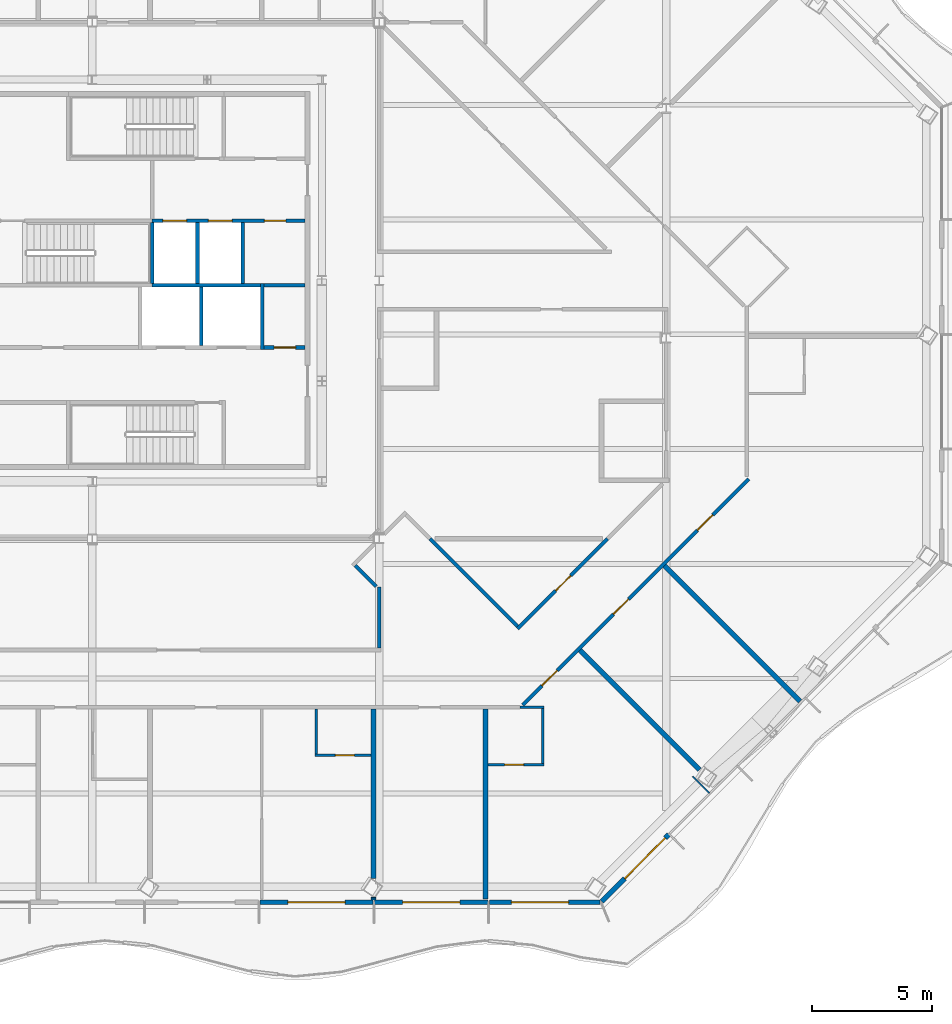
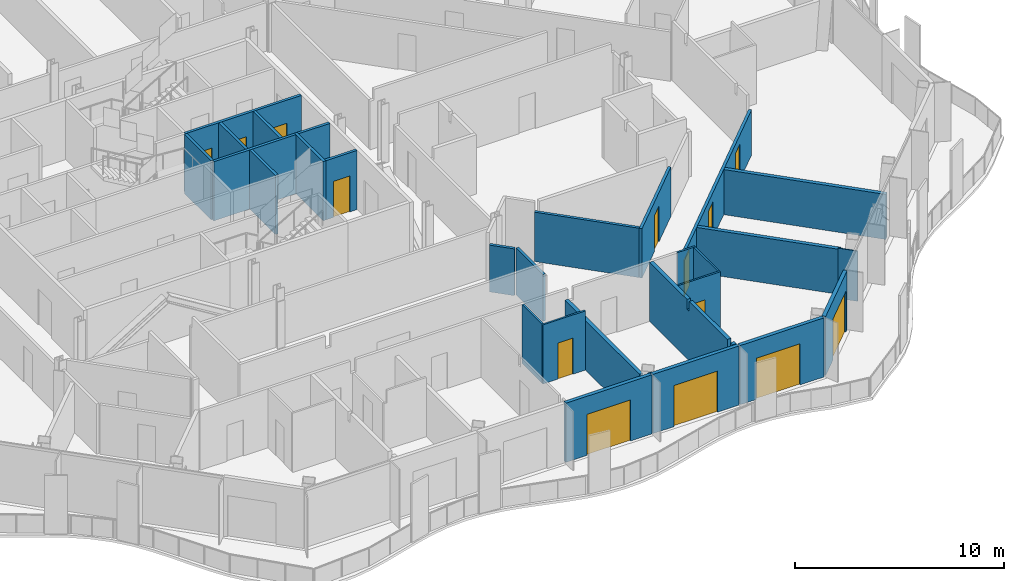
# One storey, part 9 of 19: 29 walls, 14 doors, 14 openings.
"""IFC4 building model written with IfcOpenShell, lengths in metres."""

from ifc_helpers import new_model, si_unit, direction, frame, frame_2d, origin, place, context, subcontext, project, spatial, polyline, rectangle, outline, extrude, material, layer, layer_set, type_object, element, fill, save


model = new_model("IFC4")

# Units and contexts
model_context = context("Model", 3, precision=1e-05, world=origin(), true_north=direction((0.0, 1.0)))
body_context = subcontext(model_context, "Body", "Model", "MODEL_VIEW")
ifc_project = project(units=[si_unit("LENGTHUNIT", "METRE"), si_unit("AREAUNIT", "SQUARE_METRE"), si_unit("VOLUMEUNIT", "CUBIC_METRE"), si_unit("PLANEANGLEUNIT", "RADIAN"), si_unit("MASSUNIT", "GRAM", prefix="KILO")], contexts=[model_context])

# Site, building, storey
site_placement = place(None, origin())
site = spatial("IfcSite", under=ifc_project, at=site_placement, CompositionType="ELEMENT")
building_placement = place(site_placement, origin())
building = spatial("IfcBuilding", under=site, at=building_placement, Name="Cairn Pilgrim Tower", CompositionType="ELEMENT")
storey_placement = place(building_placement, frame((0.0, 0.0, 197.39990234375)))
storey = spatial("IfcBuildingStorey", under=building, at=storey_placement, Name="L50", CompositionType="ELEMENT", Elevation=197.39990234375)

# Wall, opening, door
ifc_material_1 = material(Name="Bronze anodised aluminium insulated sandwich panel with mineral wool fill", Category="aluminium")
ifc_layer_1 = layer(ifc_material_1, 0.199951171875)
ifc_layer_set_1 = layer_set([ifc_layer_1], Name="BRONZE INFILL FRAME WALL 200")
wall_type_1 = type_object("IfcWallType", Name="BRONZE INFILL FRAME WALL 200", PredefinedType="NOTDEFINED", material=ifc_layer_set_1)
wall_1_placement = place(storey_placement, frame((14.205078125, -23.60009765625, 0.0), z_axis=(0.0, 0.0, 1.0), x_axis=(1.0, 0.0, 0.0)))
wall_1 = element("IfcWall", 1, at=wall_1_placement, inside=storey, type_object=wall_type_1, Name="Bronze infill frame wall IW-S4", PredefinedType="NOTDEFINED", context=body_context, shape_type="SweptSolid", body=[
    extrude(rectangle(XDim=4.739990234375, YDim=0.199951171875, at=frame_2d((2.3701171875, 0.0))), origin(), (0.0, 0.0, 1.0), 3.4501953125),
])
opening_1_placement = place(wall_1_placement, frame((1.16943359375, 0.0, 0.0)))
opening_1 = element("IfcOpeningElement", 2, at=opening_1_placement, cuts=wall_1, Name="Opening 5017SB", PredefinedType="OPENING", context=body_context, shape_type="SweptSolid", body=[
    extrude(rectangle(XDim=2.39990234375, YDim=2.39990234375, at=frame_2d((1.199951171875, 1.199951171875))), frame((0.0, 0.10986328125, 0.0), z_axis=(0.0, -1.0, 0.0), x_axis=(1.0, 0.0, 0.0)), (0.0, 0.0, 1.0), 0.219970703125),
])
ifc_material_2 = material(Name="Bronze anodised aluminium frame with tinted low-E glass", Category="aluminium")
door_type_1 = type_object("IfcDoorType", Name="BALCONY SLIDING DOOR 2400x2400", OperationType="DOUBLE_DOOR_SLIDING", PredefinedType="DOOR", material=ifc_material_2)
door_1_placement = place(opening_1_placement, origin())
door_1 = element("IfcDoor", 3, at=door_1_placement, inside=storey, type_object=door_type_1, Name="Balcony sliding door 5017SB", OperationType="SINGLE_SWING_LEFT", OverallHeight=2.39990234375, OverallWidth=2.39990234375, PredefinedType="DOOR", context=body_context, shape_type="SweptSolid", body=[
    extrude(rectangle(XDim=2.39990234375, YDim=2.39990234375, at=frame_2d((1.199951171875, 1.199951171875))), frame((0.0, 0.02490234375, 0.0), z_axis=(0.0, -1.0, 0.0), x_axis=(1.0, 0.0, 0.0)), (0.0, 0.0, 1.0), 0.050048828125),
])
fill(opening_1, door_1)

wall_2_placement = place(storey_placement, frame((19.0048828125, -23.60009765625, 0.0), z_axis=(0.0, 0.0, 1.0), x_axis=(1.0, 0.0, 0.0)))
wall_2 = element("IfcWall", 4, at=wall_2_placement, inside=storey, type_object=wall_type_1, Name="Bronze infill frame wall IW-S5", PredefinedType="NOTDEFINED", context=body_context, shape_type="SweptSolid", body=[
    extrude(rectangle(XDim=4.740234375, YDim=0.199951171875, at=frame_2d((2.3701171875, 0.0))), origin(), (0.0, 0.0, 1.0), 3.4501953125),
])
opening_2_placement = place(wall_2_placement, frame((1.170166015625, 0.0, 0.0)))
opening_2 = element("IfcOpeningElement", 5, at=opening_2_placement, cuts=wall_2, Name="Opening 5001B", PredefinedType="OPENING", context=body_context, shape_type="SweptSolid", body=[
    extrude(rectangle(XDim=2.39990234375, YDim=2.39990234375, at=frame_2d((1.199951171875, 1.199951171875))), frame((0.0, 0.10986328125, 0.0), z_axis=(0.0, -1.0, 0.0), x_axis=(1.0, 0.0, 0.0)), (0.0, 0.0, 1.0), 0.219970703125),
])
door_2_placement = place(opening_2_placement, origin())
door_2 = element("IfcDoor", 6, at=door_2_placement, inside=storey, type_object=door_type_1, Name="Balcony sliding door 5001B", OperationType="SINGLE_SWING_LEFT", OverallHeight=2.39990234375, OverallWidth=2.39990234375, PredefinedType="DOOR", context=body_context, shape_type="SweptSolid", body=[
    extrude(rectangle(XDim=2.39990234375, YDim=2.39990234375, at=frame_2d((1.199951171875, 1.199951171875))), frame((0.0, 0.02490234375, 0.0), z_axis=(0.0, -1.0, 0.0), x_axis=(1.0, 0.0, 0.0)), (0.0, 0.0, 1.0), 0.050048828125),
])
fill(opening_2, door_2)

wall_3_placement = place(storey_placement, frame((23.804931640625, -23.60009765625, 0.0), z_axis=(0.0, 0.0, 1.0), x_axis=(1.0, 0.0, 0.0)))
wall_3 = element("IfcWall", 7, at=wall_3_placement, inside=storey, type_object=wall_type_1, Name="Bronze infill frame wall IW-S6", PredefinedType="NOTDEFINED", context=body_context, shape_type="SweptSolid", body=[
    extrude(rectangle(XDim=4.62646484375, YDim=0.199951171875, at=frame_2d((2.313232421875, 0.0))), origin(), (0.0, 0.0, 1.0), 3.4501953125),
])
opening_3_placement = place(wall_3_placement, frame((0.91796875, 0.0, 0.0)))
opening_3 = element("IfcOpeningElement", 8, at=opening_3_placement, cuts=wall_3, Name="Opening 5002B2", PredefinedType="OPENING", context=body_context, shape_type="SweptSolid", body=[
    extrude(rectangle(XDim=2.39990234375, YDim=2.39990234375, at=frame_2d((1.199951171875, 1.199951171875))), frame((0.0, 0.10986328125, 0.0), z_axis=(0.0, -1.0, 0.0), x_axis=(1.0, 0.0, 0.0)), (0.0, 0.0, 1.0), 0.219970703125),
])
door_3_placement = place(opening_3_placement, origin())
door_3 = element("IfcDoor", 9, at=door_3_placement, inside=storey, type_object=door_type_1, Name="Balcony sliding door 5002B2", OperationType="SINGLE_SWING_LEFT", OverallHeight=2.39990234375, OverallWidth=2.39990234375, PredefinedType="DOOR", context=body_context, shape_type="SweptSolid", body=[
    extrude(rectangle(XDim=2.39990234375, YDim=2.39990234375, at=frame_2d((1.199951171875, 1.199951171875))), frame((0.0, 0.02490234375, 0.0), z_axis=(0.0, -1.0, 0.0), x_axis=(1.0, 0.0, 0.0)), (0.0, 0.0, 1.0), 0.050048828125),
])
fill(opening_3, door_3)

wall_4_placement = place(storey_placement, frame((28.499755859375, -23.57177734375, 0.0), z_axis=(0.0, 0.0, 1.0), x_axis=(0.707106781187, 0.707106781187, 0.0)))
wall_4 = element("IfcWall", 10, at=wall_4_placement, inside=storey, type_object=wall_type_1, Name="Bronze infill frame wall IW-SE1", PredefinedType="NOTDEFINED", context=body_context, shape_type="SweptSolid", body=[
    extrude(rectangle(XDim=3.961669921875, YDim=0.199951171875, at=frame_2d((1.98095703125, 0.0))), origin(), (0.0, 0.0, 1.0), 3.4501953125),
])
opening_4_placement = place(wall_4_placement, frame((1.361572265625, 0.0, 0.0)))
opening_4 = element("IfcOpeningElement", 11, at=opening_4_placement, cuts=wall_4, Name="Opening 5002B", PredefinedType="OPENING", context=body_context, shape_type="SweptSolid", body=[
    extrude(rectangle(XDim=2.39990234375, YDim=2.39990234375, at=frame_2d((1.199951171875, 1.199951171875))), frame((0.0, 0.10986328125, 0.0), z_axis=(0.0, -1.0, 0.0), x_axis=(1.0, 0.0, 0.0)), (0.0, 0.0, 1.0), 0.219970703125),
])
door_4_placement = place(opening_4_placement, origin())
door_4 = element("IfcDoor", 12, at=door_4_placement, inside=storey, type_object=door_type_1, Name="Balcony sliding door 5002B", OperationType="SINGLE_SWING_LEFT", OverallHeight=2.39990234375, OverallWidth=2.39990234375, PredefinedType="DOOR", context=body_context, shape_type="SweptSolid", body=[
    extrude(rectangle(XDim=2.39990234375, YDim=2.39990234375, at=frame_2d((1.199951171875, 1.199951171875))), frame((0.0, 0.02490234375, 0.0), z_axis=(0.0, -1.0, 0.0), x_axis=(1.0, 0.0, 0.0)), (0.0, 0.0, 1.0), 0.050048828125),
])
fill(opening_4, door_4)

ifc_material_3 = material(Name="Concrete C32/40", Category="concrete")
ifc_layer_2 = layer(ifc_material_3, 0.14990234375)
ifc_layer_set_2 = layer_set([ifc_layer_2], Name="CORE PARTITION 150 EI 60")
wall_type_2 = type_object("IfcWallType", Name="CORE PARTITION 150 EI 60", PredefinedType="PARTITIONING", material=ifc_layer_set_2)
wall_5_placement = place(storey_placement, frame((14.375, -0.39990234375, 0.0), z_axis=(0.0, 0.0, 1.0), x_axis=(1.0, 0.0, 0.0)))
wall_5 = element("IfcWall", 13, at=wall_5_placement, inside=storey, type_object=wall_type_2, Name="CW:L50:H06", PredefinedType="PARTITIONING", context=body_context, shape_type="SweptSolid", body=[
    extrude(rectangle(XDim=1.72509765625, YDim=0.14990234375, at=frame_2d((0.862548828125, 0.0))), origin(), (0.0, 0.0, 1.0), 3.4501953125),
])
opening_5_placement = place(wall_5_placement, frame((0.425048828125, 0.0, 0.0)))
opening_5 = element("IfcOpeningElement", 14, at=opening_5_placement, cuts=wall_5, Name="Opening RD-R2E", PredefinedType="OPENING", context=body_context, shape_type="SweptSolid", body=[
    extrude(rectangle(XDim=0.89990234375, YDim=2.10009765625, at=frame_2d((0.449951171875, 1.050048828125))), frame((0.0, 0.0849609375, 0.0), z_axis=(0.0, -1.0, 0.0), x_axis=(1.0, 0.0, 0.0)), (0.0, 0.0, 1.0), 0.169921875),
])
ifc_material_4 = material(Name="Painted steel", Category="steel")
door_type_2 = type_object("IfcDoorType", Name="SERVICE ROOM DOOR 900x2100", OperationType="SINGLE_SWING_LEFT", PredefinedType="DOOR", material=ifc_material_4)
door_5_placement = place(opening_5_placement, origin())
door_5 = element("IfcDoor", 15, at=door_5_placement, inside=storey, type_object=door_type_2, Name="RD-R2E", OperationType="SINGLE_SWING_RIGHT", OverallHeight=2.10009765625, OverallWidth=0.89990234375, PredefinedType="DOOR", context=body_context, shape_type="SweptSolid", body=[
    extrude(rectangle(XDim=0.89990234375, YDim=2.10009765625, at=frame_2d((0.449951171875, 1.050048828125))), frame((0.0, 0.02490234375, 0.0), z_axis=(0.0, -1.0, 0.0), x_axis=(1.0, 0.0, 0.0)), (0.0, 0.0, 1.0), 0.050048828125),
])
fill(opening_5, door_5)

# Walls
wall_6_placement = place(storey_placement, frame((14.375, 2.199951171875, 0.0), z_axis=(0.0, 0.0, 1.0), x_axis=(1.0, 0.0, 0.0)))
element("IfcWall", 16, at=wall_6_placement, inside=storey, type_object=wall_type_2, Name="CW:L50:H08", PredefinedType="PARTITIONING", context=body_context, shape_type="SweptSolid", body=[
    extrude(rectangle(XDim=1.72509765625, YDim=0.14990234375, at=frame_2d((0.862548828125, 0.0))), origin(), (0.0, 0.0, 1.0), 3.4501953125),
])
ifc_layer_3 = layer(ifc_material_3, 0.14990234375)
ifc_layer_set_3 = layer_set([ifc_layer_3], Name="CORE SHAFT WALL 150 EI 120")
wall_type_3 = type_object("IfcWallType", Name="CORE SHAFT WALL 150 EI 120", PredefinedType="SOLIDWALL", material=ifc_layer_set_3)
wall_7_placement = place(storey_placement, frame((9.699951171875, 2.199951171875, 0.0), z_axis=(0.0, 0.0, 1.0), x_axis=(1.0, 0.0, 0.0)))
element("IfcWall", 17, at=wall_7_placement, inside=storey, type_object=wall_type_3, Name="CW:L50:H07-3", PredefinedType="SOLIDWALL", context=body_context, shape_type="SweptSolid", body=[
    extrude(rectangle(XDim=4.525146484375, YDim=0.14990234375, at=frame_2d((2.2626953125, 0.0))), origin(), (0.0, 0.0, 1.0), 3.4501953125),
])

# Wall, openings, doors
wall_8_placement = place(storey_placement, frame((9.699951171875, 4.89990234375, 0.0), z_axis=(0.0, 0.0, 1.0), x_axis=(1.0, 0.0, 0.0)))
wall_8 = element("IfcWall", 18, at=wall_8_placement, inside=storey, type_object=wall_type_3, Name="CW:L50:H09-3", PredefinedType="SOLIDWALL", context=body_context, shape_type="SweptSolid", body=[
    extrude(rectangle(XDim=6.400146484375, YDim=0.14990234375, at=frame_2d((3.2001953125, 0.0))), origin(), (0.0, 0.0, 1.0), 3.4501953125),
])
opening_6_placement = place(wall_8_placement, frame((0.449951171875, 0.0, 0.0)))
opening_6 = element("IfcOpeningElement", 19, at=opening_6_placement, cuts=wall_8, Name="Opening LD-FF1", PredefinedType="OPENING", context=body_context, shape_type="SweptSolid", body=[
    extrude(rectangle(XDim=1.0, YDim=2.10009765625, at=frame_2d((0.5, 1.050048828125))), frame((0.0, 0.0849609375, 0.0), z_axis=(0.0, -1.0, 0.0), x_axis=(1.0, 0.0, 0.0)), (0.0, 0.0, 1.0), 0.169921875),
])
opening_7_placement = place(wall_8_placement, frame((2.35009765625, 0.0, 0.0)))
opening_7 = element("IfcOpeningElement", 20, at=opening_7_placement, cuts=wall_8, Name="Opening LD-FF2", PredefinedType="OPENING", context=body_context, shape_type="SweptSolid", body=[
    extrude(rectangle(XDim=1.0, YDim=2.10009765625, at=frame_2d((0.5, 1.050048828125))), frame((0.0, 0.0849609375, 0.0), z_axis=(0.0, -1.0, 0.0), x_axis=(1.0, 0.0, 0.0)), (0.0, 0.0, 1.0), 0.169921875),
])
opening_8_placement = place(wall_8_placement, frame((4.699951171875, 0.0, 0.0)))
opening_8 = element("IfcOpeningElement", 21, at=opening_8_placement, cuts=wall_8, Name="Opening RD-R3E", PredefinedType="OPENING", context=body_context, shape_type="SweptSolid", body=[
    extrude(rectangle(XDim=0.89990234375, YDim=2.10009765625, at=frame_2d((0.449951171875, 1.050048828125))), frame((0.0, 0.0849609375, 0.0), z_axis=(0.0, -1.0, 0.0), x_axis=(1.0, 0.0, 0.0)), (0.0, 0.0, 1.0), 0.169921875),
])
ifc_material_5 = material(Name="Stainless steel", Category="steel")
door_type_3 = type_object("IfcDoorType", Name="LIFT LANDING DOOR FIRE 1000x2100", OperationType="DOUBLE_DOOR_SLIDING", PredefinedType="DOOR", material=ifc_material_5)
door_6_placement = place(opening_6_placement, origin())
door_6 = element("IfcDoor", 22, at=door_6_placement, inside=storey, type_object=door_type_3, Name="LANDING DOOR FF1", OperationType="DOUBLE_DOOR_SLIDING", OverallHeight=2.10009765625, OverallWidth=1.0, PredefinedType="DOOR", context=body_context, shape_type="SweptSolid", body=[
    extrude(rectangle(XDim=1.0, YDim=2.10009765625, at=frame_2d((0.5, 1.050048828125))), frame((0.0, 0.02490234375, 0.0), z_axis=(0.0, -1.0, 0.0), x_axis=(1.0, 0.0, 0.0)), (0.0, 0.0, 1.0), 0.050048828125),
])
fill(opening_6, door_6)
door_7_placement = place(opening_7_placement, origin())
door_7 = element("IfcDoor", 23, at=door_7_placement, inside=storey, type_object=door_type_3, Name="LANDING DOOR FF2", OperationType="DOUBLE_DOOR_SLIDING", OverallHeight=2.10009765625, OverallWidth=1.0, PredefinedType="DOOR", context=body_context, shape_type="SweptSolid", body=[
    extrude(rectangle(XDim=1.0, YDim=2.10009765625, at=frame_2d((0.5, 1.050048828125))), frame((0.0, 0.02490234375, 0.0), z_axis=(0.0, -1.0, 0.0), x_axis=(1.0, 0.0, 0.0)), (0.0, 0.0, 1.0), 0.050048828125),
])
fill(opening_7, door_7)
door_8_placement = place(opening_8_placement, origin())
door_8 = element("IfcDoor", 24, at=door_8_placement, inside=storey, type_object=door_type_2, Name="RD-R3E", OperationType="SINGLE_SWING_LEFT", OverallHeight=2.10009765625, OverallWidth=0.89990234375, PredefinedType="DOOR", context=body_context, shape_type="SweptSolid", body=[
    extrude(rectangle(XDim=0.89990234375, YDim=2.10009765625, at=frame_2d((0.449951171875, 1.050048828125))), frame((0.0, 0.02490234375, 0.0), z_axis=(0.0, -1.0, 0.0), x_axis=(1.0, 0.0, 0.0)), (0.0, 0.0, 1.0), 0.050048828125),
])
fill(opening_8, door_8)

# Walls
wall_9_placement = place(storey_placement, frame((11.60009765625, 2.27490234375, 0.0), z_axis=(0.0, 0.0, 1.0), x_axis=(0.0, 1.0, 0.0)))
element("IfcWall", 25, at=wall_9_placement, inside=storey, type_object=wall_type_3, Name="CW:L50:V24", PredefinedType="SOLIDWALL", context=body_context, shape_type="SweptSolid", body=[
    extrude(rectangle(XDim=2.550048828125, YDim=0.14990234375, at=frame_2d((1.27490234375, 0.0))), origin(), (0.0, 0.0, 1.0), 3.4501953125),
])
wall_10_placement = place(storey_placement, frame((11.75, -0.324951171875, 0.0), z_axis=(0.0, 0.0, 1.0), x_axis=(0.0, 1.0, 0.0)))
element("IfcWall", 26, at=wall_10_placement, inside=storey, type_object=wall_type_3, Name="CW:L50:V25", PredefinedType="SOLIDWALL", context=body_context, shape_type="SweptSolid", body=[
    extrude(rectangle(XDim=2.449951171875, YDim=0.14990234375, at=frame_2d((1.22509765625, 0.0))), origin(), (0.0, 0.0, 1.0), 3.4501953125),
])
wall_11_placement = place(storey_placement, frame((13.5, 2.27490234375, 0.0), z_axis=(0.0, 0.0, 1.0), x_axis=(0.0, 1.0, 0.0)))
element("IfcWall", 27, at=wall_11_placement, inside=storey, type_object=wall_type_3, Name="CW:L50:V28", PredefinedType="SOLIDWALL", context=body_context, shape_type="SweptSolid", body=[
    extrude(rectangle(XDim=2.550048828125, YDim=0.14990234375, at=frame_2d((1.27490234375, 0.0))), origin(), (0.0, 0.0, 1.0), 3.4501953125),
])
wall_12_placement = place(storey_placement, frame((14.300048828125, -0.47509765625, 0.0), z_axis=(0.0, 0.0, 1.0), x_axis=(0.0, 1.0, 0.0)))
element("IfcWall", 28, at=wall_12_placement, inside=storey, type_object=wall_type_3, Name="CW:L50:V29", PredefinedType="SOLIDWALL", context=body_context, shape_type="SweptSolid", body=[
    extrude(rectangle(XDim=2.75, YDim=0.14990234375, at=frame_2d((1.375, 0.0))), origin(), (0.0, 0.0, 1.0), 3.4501953125),
])

# Wall, opening, door
ifc_material_6 = material(Name="Gypsum partition")
ifc_layer_4 = layer(ifc_material_6, 0.10009765625)
ifc_layer_set_4 = layer_set([ifc_layer_4], Name="PARTITION 100 DRYWALL")
wall_type_4 = type_object("IfcWallType", Name="PARTITION 100 DRYWALL", PredefinedType="PARTITIONING", material=ifc_layer_set_4)
wall_13_placement = place(storey_placement, frame((23.739013671875, -17.85009765625, 0.0), z_axis=(0.0, 0.0, 1.0), x_axis=(1.0, 0.0, 0.0)))
wall_13 = element("IfcWall", 29, at=wall_13_placement, inside=storey, type_object=wall_type_4, Name="PARTITION W013", PredefinedType="PARTITIONING", context=body_context, shape_type="SweptSolid", body=[
    extrude(rectangle(XDim=2.35009765625, YDim=0.10009765625, at=frame_2d((1.175048828125, 0.0))), origin(), (0.0, 0.0, 1.0), 3.4501953125),
])
opening_9_placement = place(wall_13_placement, frame((0.699951171875, 0.0, 0.0)))
opening_9 = element("IfcOpeningElement", 30, at=opening_9_placement, cuts=wall_13, Name="Opening 5002A", PredefinedType="OPENING", context=body_context, shape_type="SweptSolid", body=[
    extrude(rectangle(XDim=0.800048828125, YDim=2.10009765625, at=frame_2d((0.39990234375, 1.050048828125))), frame((0.0, 0.06005859375, 0.0), z_axis=(0.0, -1.0, 0.0), x_axis=(1.0, 0.0, 0.0)), (0.0, 0.0, 1.0), 0.1201171875),
])
ifc_material_7 = material(Name="Timber door leaf", Category="wood")
door_type_4 = type_object("IfcDoorType", Name="WC DOOR 800x2100", OperationType="NOTDEFINED", PredefinedType="DOOR", material=ifc_material_7)
door_9_placement = place(opening_9_placement, frame((0.800048828125, 0.0, 0.0), z_axis=(0.0, 0.0, 1.0), x_axis=(-1.0, 0.0, 0.0)))
door_9 = element("IfcDoor", 31, at=door_9_placement, inside=storey, type_object=door_type_4, Name="DOOR 5002A", OperationType="SINGLE_SWING_LEFT", OverallHeight=2.10009765625, OverallWidth=0.800048828125, PredefinedType="DOOR", context=body_context, shape_type="SweptSolid", body=[
    extrude(rectangle(XDim=0.800048828125, YDim=2.10009765625, at=frame_2d((0.39990234375, 1.050048828125))), frame((0.0, 0.02490234375, 0.0), z_axis=(0.0, -1.0, 0.0), x_axis=(1.0, 0.0, 0.0)), (0.0, 0.0, 1.0), 0.050048828125),
])
fill(opening_9, door_9)

# Wall
wall_14_placement = place(storey_placement, frame((26.0390625, -17.800048828125, 0.0), z_axis=(0.0, 0.0, 1.0), x_axis=(0.0, 1.0, 0.0)))
element("IfcWall", 32, at=wall_14_placement, inside=storey, type_object=wall_type_4, Name="PARTITION W015", PredefinedType="PARTITIONING", context=body_context, shape_type="SweptSolid", body=[
    extrude(rectangle(XDim=2.300048828125, YDim=0.10009765625, at=frame_2d((1.14990234375, 0.0))), origin(), (0.0, 0.0, 1.0), 3.4501953125),
])

# Wall, opening, door
wall_15_placement = place(storey_placement, frame((16.512939453125, -17.449951171875, 0.0), z_axis=(0.0, 0.0, 1.0), x_axis=(1.0, 0.0, 0.0)))
wall_15 = element("IfcWall", 33, at=wall_15_placement, inside=storey, type_object=wall_type_4, Name="PARTITION W016", PredefinedType="PARTITIONING", context=body_context, shape_type="SweptSolid", body=[
    extrude(rectangle(XDim=2.35009765625, YDim=0.10009765625, at=frame_2d((1.175048828125, 0.0))), origin(), (0.0, 0.0, 1.0), 3.4501953125),
])
opening_10_placement = place(wall_15_placement, frame((0.85009765625, 0.0, 0.0)))
opening_10 = element("IfcOpeningElement", 34, at=opening_10_placement, cuts=wall_15, Name="Opening 5017A", PredefinedType="OPENING", context=body_context, shape_type="SweptSolid", body=[
    extrude(rectangle(XDim=0.800048828125, YDim=2.10009765625, at=frame_2d((0.39990234375, 1.050048828125))), frame((0.0, 0.06005859375, 0.0), z_axis=(0.0, -1.0, 0.0), x_axis=(1.0, 0.0, 0.0)), (0.0, 0.0, 1.0), 0.1201171875),
])
door_10_placement = place(opening_10_placement, frame((0.800048828125, 0.0, 0.0), z_axis=(0.0, 0.0, 1.0), x_axis=(-1.0, 0.0, 0.0)))
door_10 = element("IfcDoor", 35, at=door_10_placement, inside=storey, type_object=door_type_4, Name="DOOR 5017A", OperationType="SINGLE_SWING_RIGHT", OverallHeight=2.10009765625, OverallWidth=0.800048828125, PredefinedType="DOOR", context=body_context, shape_type="SweptSolid", body=[
    extrude(rectangle(XDim=0.800048828125, YDim=2.10009765625, at=frame_2d((0.39990234375, 1.050048828125))), frame((0.0, 0.02490234375, 0.0), z_axis=(0.0, -1.0, 0.0), x_axis=(1.0, 0.0, 0.0)), (0.0, 0.0, 1.0), 0.050048828125),
])
fill(opening_10, door_10)

# Walls
wall_16_placement = place(storey_placement, frame((16.56298828125, -17.39990234375, 0.0), z_axis=(0.0, 0.0, 1.0), x_axis=(0.0, 1.0, 0.0)))
element("IfcWall", 36, at=wall_16_placement, inside=storey, type_object=wall_type_4, Name="PARTITION W017", PredefinedType="PARTITIONING", context=body_context, shape_type="SweptSolid", body=[
    extrude(rectangle(XDim=1.875, YDim=0.10009765625, at=frame_2d((0.9375, 0.0))), origin(), (0.0, 0.0, 1.0), 3.4501953125),
])
wall_17_placement = place(storey_placement, frame((25.095947265625, -15.449951171875, 0.0), z_axis=(0.0, 0.0, 1.0), x_axis=(1.0, 0.0, 0.0)))
element("IfcWall", 37, at=wall_17_placement, inside=storey, type_object=wall_type_4, Name="PARTITION W019", PredefinedType="PARTITIONING", context=body_context, shape_type="SweptSolid", body=[
    extrude(rectangle(XDim=0.9931640625, YDim=0.10009765625, at=frame_2d((0.49658203125, 0.0))), origin(), (0.0, 0.0, 1.0), 3.4501953125),
])

# Wall, openings, doors
ifc_layer_5 = layer(ifc_material_6, 0.14990234375)
ifc_layer_set_5 = layer_set([ifc_layer_5], Name="PARTITION 150 DRYWALL EI 60")
wall_type_5 = type_object("IfcWallType", Name="PARTITION 150 DRYWALL EI 60", PredefinedType="PARTITIONING", material=ifc_layer_set_5)
wall_18_placement = place(storey_placement, frame((25.198974609375, -15.346923828125, 0.0), z_axis=(0.0, 0.0, 1.0), x_axis=(0.707106781187, 0.707106781187, 0.0)))
wall_18 = element("IfcWall", 38, at=wall_18_placement, inside=storey, type_object=wall_type_5, Name="PARTITION W021", PredefinedType="PARTITIONING", context=body_context, shape_type="SweptSolid", body=[
    extrude(rectangle(XDim=13.36572265625, YDim=0.14990234375, at=frame_2d((6.682861328125, 0.0))), origin(), (0.0, 0.0, 1.0), 2.630126953125),
])
opening_11_placement = place(wall_18_placement, frame((1.133544921875, 0.0, 0.0)))
opening_11 = element("IfcOpeningElement", 39, at=opening_11_placement, cuts=wall_18, Name="Opening 5002", PredefinedType="OPENING", context=body_context, shape_type="SweptSolid", body=[
    extrude(rectangle(XDim=0.89990234375, YDim=2.10009765625, at=frame_2d((0.449951171875, 1.050048828125))), frame((0.0, 0.0849609375, 0.0), z_axis=(0.0, -1.0, 0.0), x_axis=(1.0, 0.0, 0.0)), (0.0, 0.0, 1.0), 0.169921875),
])
opening_12_placement = place(wall_18_placement, frame((5.360107421875, 0.0, 0.0)))
opening_12 = element("IfcOpeningElement", 40, at=opening_12_placement, cuts=wall_18, Name="Opening 5003", PredefinedType="OPENING", context=body_context, shape_type="SweptSolid", body=[
    extrude(rectangle(XDim=0.89990234375, YDim=2.10009765625, at=frame_2d((0.449951171875, 1.050048828125))), frame((0.0, 0.0849609375, 0.0), z_axis=(0.0, -1.0, 0.0), x_axis=(1.0, 0.0, 0.0)), (0.0, 0.0, 1.0), 0.169921875),
])
opening_13_placement = place(wall_18_placement, frame((10.333740234375, 0.0, 0.0)))
opening_13 = element("IfcOpeningElement", 41, at=opening_13_placement, cuts=wall_18, Name="Opening 5004", PredefinedType="OPENING", context=body_context, shape_type="SweptSolid", body=[
    extrude(rectangle(XDim=0.89990234375, YDim=2.10009765625, at=frame_2d((0.449951171875, 1.050048828125))), frame((0.0, 0.0849609375, 0.0), z_axis=(0.0, -1.0, 0.0), x_axis=(1.0, 0.0, 0.0)), (0.0, 0.0, 1.0), 0.169921875),
])
door_type_5 = type_object("IfcDoorType", Name="ROOM DOOR 900x2100 FD30S", OperationType="NOTDEFINED", PredefinedType="DOOR", material=ifc_material_7)
door_11_placement = place(opening_11_placement, frame((0.89990234375, 0.0, 0.0), z_axis=(0.0, 0.0, 1.0), x_axis=(-1.0, 0.0, 0.0)))
door_11 = element("IfcDoor", 42, at=door_11_placement, inside=storey, type_object=door_type_5, Name="DOOR 5002", OperationType="SINGLE_SWING_LEFT", OverallHeight=2.10009765625, OverallWidth=0.89990234375, PredefinedType="DOOR", context=body_context, shape_type="SweptSolid", body=[
    extrude(rectangle(XDim=0.89990234375, YDim=2.10009765625, at=frame_2d((0.449951171875, 1.050048828125))), frame((0.0, 0.02490234375, 0.0), z_axis=(0.0, -1.0, 0.0), x_axis=(1.0, 0.0, 0.0)), (0.0, 0.0, 1.0), 0.050048828125),
])
fill(opening_11, door_11)
door_12_placement = place(opening_13_placement, frame((0.89990234375, 0.0, 0.0), z_axis=(0.0, 0.0, 1.0), x_axis=(-1.0, 0.0, 0.0)))
door_12 = element("IfcDoor", 43, at=door_12_placement, inside=storey, type_object=door_type_5, Name="DOOR 5004", OperationType="SINGLE_SWING_LEFT", OverallHeight=2.10009765625, OverallWidth=0.89990234375, PredefinedType="DOOR", context=body_context, shape_type="SweptSolid", body=[
    extrude(rectangle(XDim=0.89990234375, YDim=2.10009765625, at=frame_2d((0.449951171875, 1.050048828125))), frame((0.0, 0.02490234375, 0.0), z_axis=(0.0, -1.0, 0.0), x_axis=(1.0, 0.0, 0.0)), (0.0, 0.0, 1.0), 0.050048828125),
])
fill(opening_13, door_12)
door_type_6 = type_object("IfcDoorType", Name="SERVICE DOOR 900x2100 FD30S", OperationType="NOTDEFINED", PredefinedType="DOOR", material=ifc_material_7)
door_13_placement = place(opening_12_placement, frame((0.89990234375, 0.0, 0.0), z_axis=(0.0, 0.0, 1.0), x_axis=(-1.0, 0.0, 0.0)))
door_13 = element("IfcDoor", 44, at=door_13_placement, inside=storey, type_object=door_type_6, Name="DOOR 5003", OperationType="SINGLE_SWING_LEFT", OverallHeight=2.10009765625, OverallWidth=0.89990234375, PredefinedType="DOOR", context=body_context, shape_type="SweptSolid", body=[
    extrude(rectangle(XDim=0.89990234375, YDim=2.10009765625, at=frame_2d((0.449951171875, 1.050048828125))), frame((0.0, 0.02490234375, 0.0), z_axis=(0.0, -1.0, 0.0), x_axis=(1.0, 0.0, 0.0)), (0.0, 0.0, 1.0), 0.050048828125),
])
fill(opening_12, door_13)

# Wall
wall_19_placement = place(storey_placement, frame((19.199951171875, -12.97509765625, 0.0), z_axis=(0.0, 0.0, 1.0), x_axis=(0.0, 1.0, 0.0)))
element("IfcWall", 45, at=wall_19_placement, inside=storey, type_object=wall_type_5, Name="PARTITION W029", PredefinedType="PARTITIONING", context=body_context, shape_type="SweptSolid", body=[
    extrude(rectangle(XDim=2.56005859375, YDim=0.14990234375, at=frame_2d((1.280029296875, 0.0))), origin(), (0.0, 0.0, 1.0), 2.72998046875),
])

# Wall, opening, door
wall_20_placement = place(storey_placement, frame((24.98291015625, -12.16796875, 0.0), z_axis=(0.0, 0.0, 1.0), x_axis=(0.707198393128, 0.707015157374, 0.0)))
wall_20 = element("IfcWall", 46, at=wall_20_placement, inside=storey, type_object=wall_type_5, Name="PARTITION W031", PredefinedType="PARTITIONING", context=body_context, shape_type="SweptSolid", body=[
    extrude(rectangle(XDim=5.32958984375, YDim=0.14990234375, at=frame_2d((2.664794921875, 0.0))), origin(), (0.0, 0.0, 1.0), 2.880126953125),
])
opening_14_placement = place(wall_20_placement, frame((2.251953125, 0.0, 0.0)))
opening_14 = element("IfcOpeningElement", 47, at=opening_14_placement, cuts=wall_20, Name="Opening 5020", PredefinedType="OPENING", context=body_context, shape_type="SweptSolid", body=[
    extrude(rectangle(XDim=0.89990234375, YDim=2.10009765625, at=frame_2d((0.449951171875, 1.050048828125))), frame((0.0, 0.0849609375, 0.0), z_axis=(0.0, -1.0, 0.0), x_axis=(1.0, 0.0, 0.0)), (0.0, 0.0, 1.0), 0.169921875),
])
door_14_placement = place(opening_14_placement, origin())
door_14 = element("IfcDoor", 48, at=door_14_placement, inside=storey, type_object=door_type_6, Name="DOOR 5020", OperationType="SINGLE_SWING_LEFT", OverallHeight=2.10009765625, OverallWidth=0.89990234375, PredefinedType="DOOR", context=body_context, shape_type="SweptSolid", body=[
    extrude(rectangle(XDim=0.89990234375, YDim=2.10009765625, at=frame_2d((0.449951171875, 1.050048828125))), frame((0.0, 0.02490234375, 0.0), z_axis=(0.0, -1.0, 0.0), x_axis=(1.0, 0.0, 0.0)), (0.0, 0.0, 1.0), 0.050048828125),
])
fill(opening_14, door_14)

# Walls
wall_21_placement = place(storey_placement, frame((24.98291015625, -12.06201171875, 0.0), z_axis=(0.0, 0.0, 1.0), x_axis=(-0.707083209782, 0.707130351805, 0.0)))
element("IfcWall", 49, at=wall_21_placement, inside=storey, type_object=wall_type_5, Name="PARTITION W032", PredefinedType="PARTITIONING", context=body_context, shape_type="SweptSolid", body=[
    extrude(rectangle(XDim=5.1787109375, YDim=0.14990234375, at=frame_2d((2.58935546875, 0.0))), origin(), (0.0, 0.0, 1.0), 2.880126953125),
])
wall_22_placement = place(storey_placement, frame((19.072021484375, -10.39306640625, 0.0), z_axis=(0.0, 0.0, 1.0), x_axis=(-0.70740114323, 0.706812296552, 0.0)))
element("IfcWall", 50, at=wall_22_placement, inside=storey, type_object=wall_type_5, Name="PARTITION W034", PredefinedType="PARTITIONING", context=body_context, shape_type="SweptSolid", body=[
    extrude(rectangle(XDim=1.243896484375, YDim=0.14990234375, at=frame_2d((0.6220703125, 0.0))), origin(), (0.0, 0.0, 1.0), 2.72998046875),
])
ifc_layer_6 = layer(ifc_material_6, 0.050048828125)
ifc_layer_set_6 = layer_set([ifc_layer_6], Name="PARTITION 50 DRYWALL EI 60")
wall_type_6 = type_object("IfcWallType", Name="PARTITION 50 DRYWALL EI 60", PredefinedType="PARTITIONING", material=ifc_layer_set_6)
wall_23_placement = place(storey_placement, frame((32.996826171875, -19.03076171875, 0.0), z_axis=(0.0, 0.0, 1.0), x_axis=(-0.707232254838, 0.706981285266, 0.0)))
element("IfcWall", 51, at=wall_23_placement, inside=storey, type_object=wall_type_6, Name="COLUMN CASING WC03", PredefinedType="PARTITIONING", context=body_context, shape_type="SweptSolid", body=[
    extrude(rectangle(XDim=0.972900390625, YDim=0.050048828125, at=frame_2d((0.486328125, 0.0))), origin(), (0.0, 0.0, 1.0), 2.93017578125),
])
ifc_layer_7 = layer(ifc_material_6, 0.199951171875)
ifc_layer_set_7 = layer_set([ifc_layer_7], Name="SHAFT WALL 200 GYPSUM EI 60")
wall_type_7 = type_object("IfcWallType", Name="SHAFT WALL 200 GYPSUM EI 60", PredefinedType="PARTITIONING", material=ifc_layer_set_7)
wall_24_placement = place(storey_placement, frame((18.962890625, -23.5, 0.0), z_axis=(0.0, 0.0, 1.0), x_axis=(0.0, 1.0, 0.0)))
element("IfcWall", 52, at=wall_24_placement, inside=storey, type_object=wall_type_7, Name="PARTITION W003", PredefinedType="PARTITIONING", context=body_context, shape_type="SweptSolid", body=[
    extrude(outline(polyline([(0.0, 0.0), (0.127197265625, 0.0), (0.09130859375, 0.862548828125), (0.055419921875, 1.72509765625), (0.048095703125, 2.587646484375), (0.048095703125, 3.4501953125), (0.0, 3.4501953125), (0.0, 2.587646484375), (0.0, 1.72509765625), (0.0, 0.862548828125), (0.0, 0.0)])), frame((0.0, 0.10009765625, 0.0), z_axis=(0.0, -1.0, 0.0), x_axis=(1.0, 0.0, 0.0)), (0.0, 0.0, 1.0), 0.199951171875),
])
wall_25_placement = place(storey_placement, frame((23.638916015625, -23.469970703125, 0.0), z_axis=(0.0, 0.0, 1.0), x_axis=(0.0, 1.0, 0.0)))
element("IfcWall", 53, at=wall_25_placement, inside=storey, type_object=wall_type_7, Name="PARTITION W004", PredefinedType="PARTITIONING", context=body_context, shape_type="SweptSolid", body=[
    extrude(outline(polyline([(0.0, 0.0), (7.945068359375, 0.0), (7.945068359375, 3.4501953125), (4.375, 3.4501953125), (4.373046875, 2.880126953125), (4.1650390625, 2.880126953125), (4.1630859375, 3.4501953125), (0.52001953125, 3.4501953125), (0.51806640625, 2.93017578125), (0.219970703125, 2.93017578125), (0.218017578125, 3.4501953125), (0.0, 3.4501953125), (0.0, 0.0)])), frame((0.0, 0.10009765625, 0.0), z_axis=(0.0, -1.0, 0.0), x_axis=(1.0, 0.0, 0.0)), (0.0, 0.0, 1.0), 0.199951171875),
])
wall_26_placement = place(storey_placement, frame((18.962890625, -22.68359375, 0.0), z_axis=(0.0, 0.0, 1.0), x_axis=(0.0, 1.0, 0.0)))
element("IfcWall", 54, at=wall_26_placement, inside=storey, type_object=wall_type_7, Name="PARTITION W006", PredefinedType="PARTITIONING", context=body_context, shape_type="SweptSolid", body=[
    extrude(outline(polyline([(0.0859375, 0.0), (7.158447265625, 0.0), (7.158447265625, 0.862548828125), (7.158447265625, 1.72509765625), (7.158447265625, 2.587646484375), (7.158447265625, 2.880126953125), (0.023681640625, 2.880126953125), (0.035888671875, 2.587646484375), (0.072021484375, 1.72509765625), (0.0859375, 0.862548828125), (0.0859375, 0.0)])), frame((0.0, 0.10009765625, 0.0), z_axis=(0.0, -1.0, 0.0), x_axis=(1.0, 0.0, 0.0)), (0.0, 0.0, 1.0), 0.199951171875),
])
wall_27_placement = place(storey_placement, frame((32.595458984375, -18.056396484375, 0.0), z_axis=(0.0, 0.0, 1.0), x_axis=(-0.707158570602, 0.707054987978, 0.0)))
element("IfcWall", 55, at=wall_27_placement, inside=storey, type_object=wall_type_7, Name="PARTITION W011", PredefinedType="PARTITIONING", context=body_context, shape_type="SweptSolid", body=[
    extrude(rectangle(XDim=7.07080078125, YDim=0.199951171875, at=frame_2d((3.535400390625, 0.0))), origin(), (0.0, 0.0, 1.0), 2.630126953125),
])
wall_28_placement = place(storey_placement, frame((36.793212890625, -15.193359375, 0.0), z_axis=(0.0, 0.0, 1.0), x_axis=(-0.707091550515, 0.70712201153, 0.0)))
element("IfcWall", 56, at=wall_28_placement, inside=storey, type_object=wall_type_7, Name="PARTITION W022", PredefinedType="PARTITIONING", context=body_context, shape_type="SweptSolid", body=[
    extrude(rectangle(XDim=8.014892578125, YDim=0.199951171875, at=frame_2d((4.00732421875, 0.0))), origin(), (0.0, 0.0, 1.0), 2.630126953125),
])
ifc_material_8 = material(Name="Concrete C35/45", Category="concrete")
ifc_layer_8 = layer(ifc_material_8, 0.14990234375)
ifc_layer_set_8 = layer_set([ifc_layer_8], Name="STAIR SHAFT WALL 150 EI 120")
wall_type_8 = type_object("IfcWallType", Name="STAIR SHAFT WALL 150 EI 120", PredefinedType="SOLIDWALL", material=ifc_layer_set_8)
wall_29_placement = place(storey_placement, frame((9.699951171875, 2.27490234375, 0.0), z_axis=(0.0, 0.0, 1.0), x_axis=(0.0, 1.0, 0.0)))
element("IfcWall", 57, at=wall_29_placement, inside=storey, type_object=wall_type_8, Name="CW:L50:V22", PredefinedType="SOLIDWALL", context=body_context, shape_type="SweptSolid", body=[
    extrude(rectangle(XDim=2.550048828125, YDim=0.14990234375, at=frame_2d((1.27490234375, 0.0))), origin(), (0.0, 0.0, 1.0), 3.4501953125),
])

save(model, "model.ifc")
